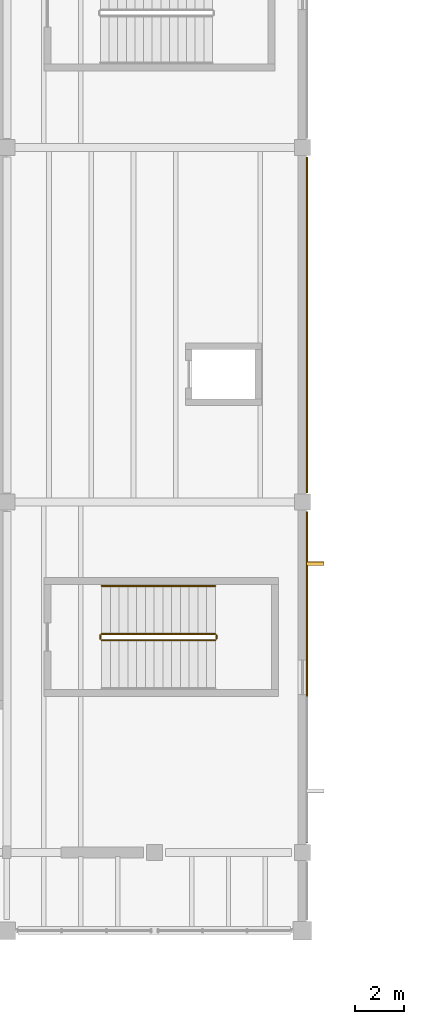
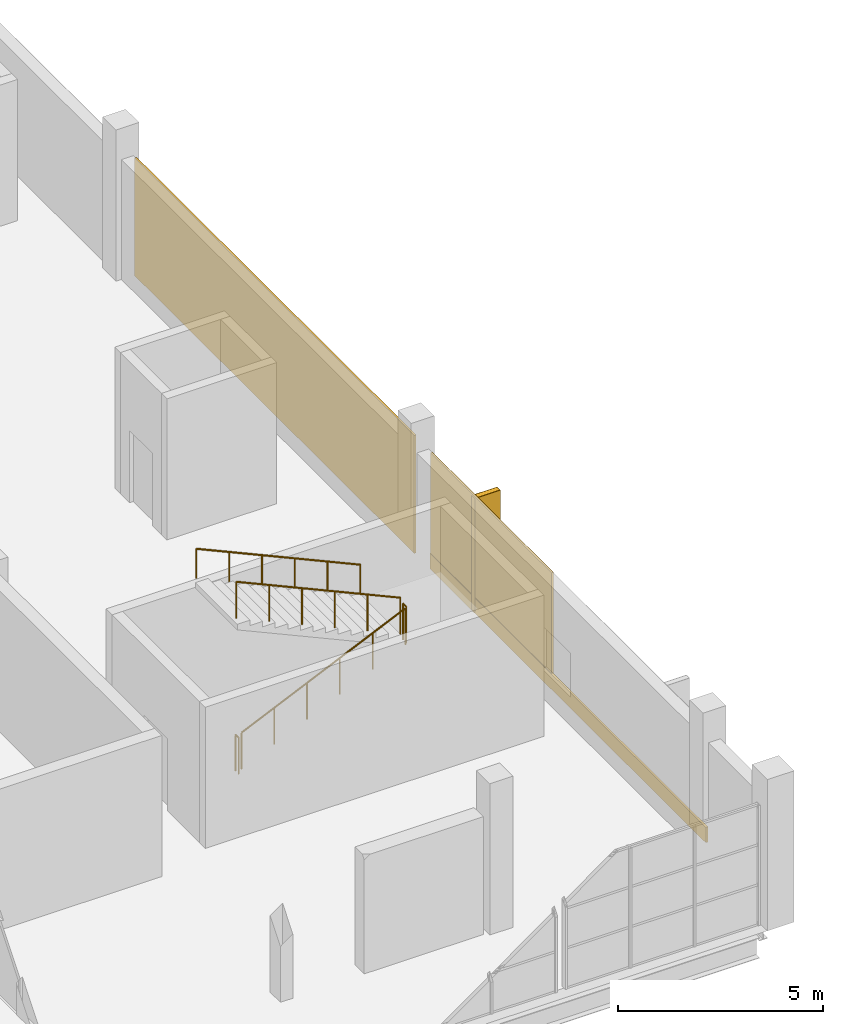
# One storey, part 57 of 63: 5 railings, 4 coverings, 1 shading device.
"""IFC4 building model written with IfcOpenShell, lengths in metres."""

from ifc_helpers import new_model, si_unit, direction, frame, origin, origin_2d, place, context, subcontext, project, spatial, rectangle, circle, extrude, material, layer, layer_set, type_object, element, save


model = new_model("IFC4")

# Units and contexts
model_context = context("Model", 3, precision=1e-05, world=origin(), true_north=direction((0.0, 1.0)))
body_context = subcontext(model_context, "Body", "Model", "MODEL_VIEW")
ifc_project = project(units=[si_unit("LENGTHUNIT", "METRE"), si_unit("AREAUNIT", "SQUARE_METRE"), si_unit("VOLUMEUNIT", "CUBIC_METRE"), si_unit("PLANEANGLEUNIT", "RADIAN"), si_unit("MASSUNIT", "GRAM", prefix="KILO")], contexts=[model_context])

# Site, building, storey
site_placement = place(None, origin())
site = spatial("IfcSite", under=ifc_project, at=site_placement, CompositionType="ELEMENT")
building_placement = place(site_placement, origin())
building = spatial("IfcBuilding", under=site, at=building_placement, Name="Kelmvaro Bay Concert Hall", CompositionType="ELEMENT")
storey_placement = place(building_placement, frame((0.0, 0.0, 13.800048828125)))
storey = spatial("IfcBuildingStorey", under=building, at=storey_placement, Name="L03", CompositionType="ELEMENT", Elevation=13.800048828125)

# Shading device
ifc_material_1 = material(Name="Anodised Extruded Aluminium 6063-T6", Category="aluminium")
ifc_layer_1 = layer(ifc_material_1, 3.39990234375)
ifc_layer_set_1 = layer_set([ifc_layer_1], Name="Anodised Extruded Aluminium 6063-T6")
shading_device_type = type_object("IfcShadingDeviceType", Name="Bauhaus Vertical Solar Brise-Soleil Fin 720x3400", PredefinedType="SHUTTER", material=ifc_layer_set_1)
shading_device_placement = place(storey_placement, frame((60.52587890625, 80.3037109375, 0.06005859375), z_axis=(0.0, 0.0, 1.0), x_axis=(0.0, -1.0, 0.0)))
element("IfcShadingDevice", 1, at=shading_device_placement, inside=storey, type_object=shading_device_type, Name="L03 Solar Brise-Soleil Fin 036", PredefinedType="SHUTTER", context=body_context, shape_type="SweptSolid", body=[
    extrude(rectangle(XDim=0.159912109375, YDim=0.719970703125, at=origin_2d()), origin(), (0.0, 0.0, 1.0), 3.39990234375),
])

# Coverings
ifc_material_2 = material(Name="PVDF-Coated Architectural Aluminium", Category="aluminium")
ifc_layer_2 = layer(ifc_material_2, 0.0400390625)
ifc_layer_set_2 = layer_set([ifc_layer_2], Name="PVDF-Coated Architectural Aluminium")
covering_type_1 = type_object("IfcCoveringType", Name="De Stijl Enamelled Aluminium Fascia Panel 40", PredefinedType="CLADDING", material=ifc_layer_set_2)
covering_1_placement = place(storey_placement, frame((60.52587890625, 80.3037109375, 0.06005859375), z_axis=(0.0, 0.0, 1.0), x_axis=(0.0, -1.0, 0.0)))
element("IfcCovering", 2, at=covering_1_placement, inside=storey, type_object=covering_type_1, Name="L03 Architectural Vertical Fin Cladding 0136", PredefinedType="CLADDING", context=body_context, shape_type="SweptSolid", body=[
    extrude(rectangle(XDim=0.139892578125, YDim=0.699951171875, at=origin_2d()), origin(), (0.0, 0.0, 1.0), 3.39990234375),
])
ifc_material_3 = material(Name="Honed Florida Limestone Travertine", Category="masonry")
ifc_layer_3 = layer(ifc_material_3, 0.054931640625)
ifc_layer_set_3 = layer_set([ifc_layer_3], Name="Honed Florida Limestone Travertine")
covering_type_2 = type_object("IfcCoveringType", Name="Honed Florida Travertine Rainscreen Cladding 55", PredefinedType="CLADDING", material=ifc_layer_set_3)
covering_2_placement = place(storey_placement, frame((60.195556640625, 75.68994140625, 0.0400390625), z_axis=(0.0, 0.0, 1.0), x_axis=(0.0, -1.0, 0.0)))
element("IfcCovering", 3, at=covering_2_placement, inside=storey, type_object=covering_type_2, Name="L03 Travertine Sill Band 0135", PredefinedType="CLADDING", context=body_context, shape_type="SweptSolid", body=[
    extrude(rectangle(XDim=13.449951171875, YDim=0.054931640625, at=origin_2d()), origin(), (0.0, 0.0, 1.0), 0.4599609375),
])
covering_3_placement = place(storey_placement, frame((60.195556640625, 79.4423828125, 0.52001953125), z_axis=(0.0, 0.0, 1.0), x_axis=(0.0, -1.0, 0.0)))
element("IfcCovering", 4, at=covering_3_placement, inside=storey, type_object=covering_type_2, Name="L03 Travertine Pier Panel 0138", PredefinedType="CLADDING", context=body_context, shape_type="SweptSolid", body=[
    extrude(rectangle(XDim=5.905029296875, YDim=0.054931640625, at=origin_2d()), origin(), (0.0, 0.0, 1.0), 2.989013671875),
])
covering_4_placement = place(storey_placement, frame((60.195556640625, 90.0, 0.02978515625), z_axis=(0.0, 0.0, 1.0), x_axis=(0.0, -1.0, 0.0)))
element("IfcCovering", 5, at=covering_4_placement, inside=storey, type_object=covering_type_2, Name="L03 Travertine Cladding Panel 0141", PredefinedType="CLADDING", context=body_context, shape_type="SweptSolid", body=[
    extrude(rectangle(XDim=13.6298828125, YDim=0.054931640625, at=origin_2d()), origin(), (0.0, 0.0, 1.0), 3.509033203125),
])

# Railings
ifc_material_4 = material(Name="Brushed Stainless Steel 316", Category="steel")
railing_type_1 = type_object("IfcRailingType", Name="Stair Stainless Wall Handrail 900", PredefinedType="HANDRAIL", material=ifc_material_4)
railing_1_placement = place(storey_placement, frame((56.465087890625, 79.39990234375, 2.41064453125)))
element("IfcRailing", 6, at=railing_1_placement, inside=storey, type_object=railing_type_1, Name="L03 ST-04 stair handrail 2", PredefinedType="HANDRAIL", context=body_context, shape_type="SweptSolid", body=[
    extrude(circle(Radius=0.02392578125, at=origin_2d()), frame((0.0, 0.0, 0.8759765625), z_axis=(-0.910987662999, 0.0, 0.412433604187), x_axis=(0.0, -1.0, 0.0)), (0.0, 0.0, 1.0), 5.06591796875),
    extrude(circle(Radius=0.02099609375, at=origin_2d()), origin(), (0.0, 0.0, 1.0), 0.851806640625),
    extrude(circle(Radius=0.02099609375, at=origin_2d()), frame((-0.923095703125, 0.0, 0.41796875)), (0.0, 0.0, 1.0), 0.851806640625),
    extrude(circle(Radius=0.02099609375, at=origin_2d()), frame((-1.845947265625, 0.0, 0.835693359375)), (0.0, 0.0, 1.0), 0.851806640625),
    extrude(circle(Radius=0.02099609375, at=origin_2d()), frame((-2.76904296875, 0.0, 1.253662109375)), (0.0, 0.0, 1.0), 0.851806640625),
    extrude(circle(Radius=0.02099609375, at=origin_2d()), frame((-3.69189453125, 0.0, 1.67138671875)), (0.0, 0.0, 1.0), 0.851806640625),
    extrude(circle(Radius=0.02099609375, at=origin_2d()), frame((-4.614990234375, 0.0, 2.08935546875)), (0.0, 0.0, 1.0), 0.851806640625),
])
ifc_material_5 = material(Name="Powder-Coated Steel ASTM A500", Category="steel")
railing_type_2 = type_object("IfcRailingType", Name="Stair Well Painted Steel Guard 1100", PredefinedType="BALUSTRADE", material=ifc_material_5)
railing_2_placement = place(storey_placement, frame((51.85009765625, 77.199951171875, 0.16064453125)))
element("IfcRailing", 7, at=railing_2_placement, inside=storey, type_object=railing_type_2, Name="L03 ST-04 stair guard 1", PredefinedType="BALUSTRADE", context=body_context, shape_type="SweptSolid", body=[
    extrude(circle(Radius=0.02392578125, at=origin_2d()), frame((0.0, 0.0, 1.076171875), z_axis=(0.910987662999, 0.0, 0.412433604187), x_axis=(0.0, 1.0, 0.0)), (0.0, 0.0, 1.0), 5.06591796875),
    extrude(circle(Radius=0.02099609375, at=origin_2d()), origin(), (0.0, 0.0, 1.0), 1.052001953125),
    extrude(circle(Radius=0.02099609375, at=origin_2d()), frame((0.923095703125, 0.0, 0.41796875)), (0.0, 0.0, 1.0), 1.052001953125),
    extrude(circle(Radius=0.02099609375, at=origin_2d()), frame((1.845947265625, 0.0, 0.835693359375)), (0.0, 0.0, 1.0), 1.052001953125),
    extrude(circle(Radius=0.02099609375, at=origin_2d()), frame((2.76904296875, 0.0, 1.253662109375)), (0.0, 0.0, 1.0), 1.052001953125),
    extrude(circle(Radius=0.02099609375, at=origin_2d()), frame((3.69189453125, 0.0, 1.67138671875)), (0.0, 0.0, 1.0), 1.052001953125),
    extrude(circle(Radius=0.02099609375, at=origin_2d()), frame((4.614990234375, 0.0, 2.08935546875)), (0.0, 0.0, 1.0), 1.052001953125),
])
railing_3_placement = place(storey_placement, frame((56.514892578125, 77.25, 2.25)))
element("IfcRailing", 8, at=railing_3_placement, inside=storey, type_object=railing_type_2, Name="L03 ST-04 stair guard 2", PredefinedType="BALUSTRADE", context=body_context, shape_type="SweptSolid", body=[
    extrude(circle(Radius=0.02392578125, at=origin_2d()), frame((0.0, 0.0, 1.076171875), z_axis=(0.0, 1.0, 0.0), x_axis=(-1.0, 0.0, 0.0)), (0.0, 0.0, 1.0), 0.14990234375),
    extrude(circle(Radius=0.02099609375, at=origin_2d()), origin(), (0.0, 0.0, 1.0), 1.052001953125),
    extrude(circle(Radius=0.02099609375, at=origin_2d()), frame((0.0, 0.14990234375, 0.0)), (0.0, 0.0, 1.0), 1.052001953125),
])
railing_4_placement = place(storey_placement, frame((56.465087890625, 77.449951171875, 2.41064453125)))
element("IfcRailing", 9, at=railing_4_placement, inside=storey, type_object=railing_type_2, Name="L03 ST-04 stair guard 3", PredefinedType="BALUSTRADE", context=body_context, shape_type="SweptSolid", body=[
    extrude(circle(Radius=0.02392578125, at=origin_2d()), frame((0.0, 0.0, 1.076171875), z_axis=(-0.910987662999, 0.0, 0.412433604187), x_axis=(0.0, -1.0, 0.0)), (0.0, 0.0, 1.0), 5.06591796875),
    extrude(circle(Radius=0.02099609375, at=origin_2d()), origin(), (0.0, 0.0, 1.0), 1.052001953125),
    extrude(circle(Radius=0.02099609375, at=origin_2d()), frame((-0.923095703125, 0.0, 0.41796875)), (0.0, 0.0, 1.0), 1.052001953125),
    extrude(circle(Radius=0.02099609375, at=origin_2d()), frame((-1.845947265625, 0.0, 0.835693359375)), (0.0, 0.0, 1.0), 1.052001953125),
    extrude(circle(Radius=0.02099609375, at=origin_2d()), frame((-2.76904296875, 0.0, 1.253662109375)), (0.0, 0.0, 1.0), 1.052001953125),
    extrude(circle(Radius=0.02099609375, at=origin_2d()), frame((-3.69189453125, 0.0, 1.67138671875)), (0.0, 0.0, 1.0), 1.052001953125),
    extrude(circle(Radius=0.02099609375, at=origin_2d()), frame((-4.614990234375, 0.0, 2.08935546875)), (0.0, 0.0, 1.0), 1.052001953125),
])
railing_5_placement = place(storey_placement, frame((51.800048828125, 77.25, 0.0)))
element("IfcRailing", 10, at=railing_5_placement, inside=storey, type_object=railing_type_2, Name="L03 ST-04 stair guard 4", PredefinedType="BALUSTRADE", context=body_context, shape_type="SweptSolid", body=[
    extrude(circle(Radius=0.02392578125, at=origin_2d()), frame((0.0, 0.0, 1.076171875), z_axis=(0.0, 1.0, 0.0), x_axis=(-1.0, 0.0, 0.0)), (0.0, 0.0, 1.0), 0.14990234375),
    extrude(circle(Radius=0.02099609375, at=origin_2d()), origin(), (0.0, 0.0, 1.0), 1.052001953125),
    extrude(circle(Radius=0.02099609375, at=origin_2d()), frame((0.0, 0.14990234375, 0.0)), (0.0, 0.0, 1.0), 1.052001953125),
])

save(model, "model.ifc")
